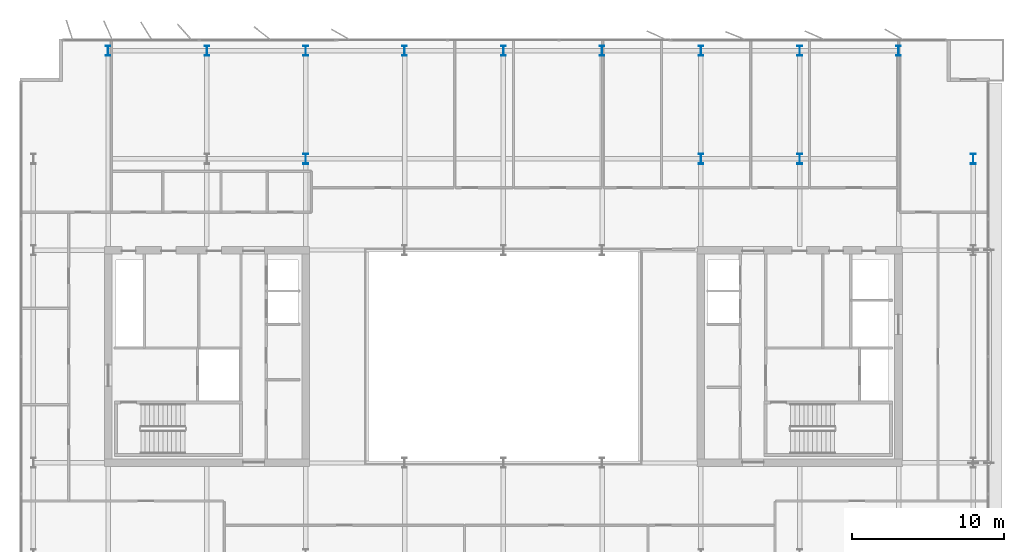
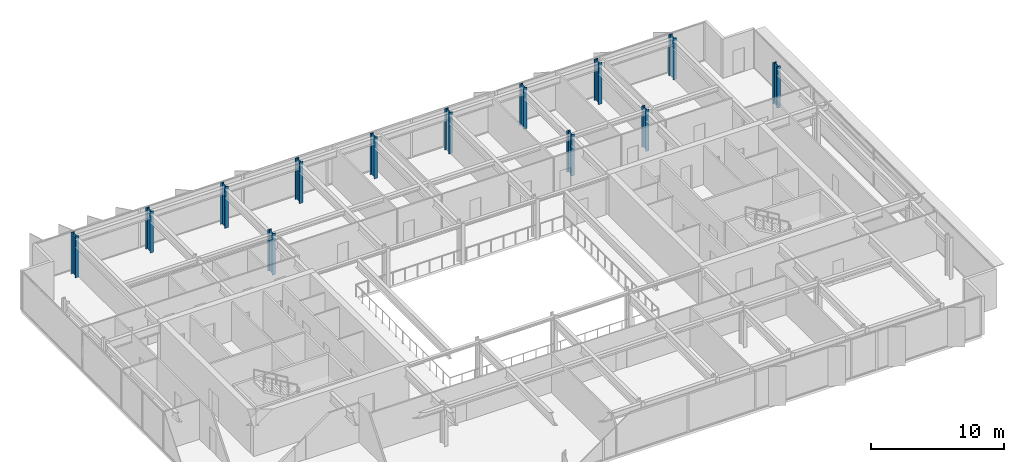
# One storey, part 3 of 19: 13 columns.
"""IFC4 building model written with IfcOpenShell, lengths in metres."""

from ifc_helpers import new_model, si_unit, direction, frame, origin, origin_2d, place, context, subcontext, project, spatial, i_section, extrude, material, material_profile, profile_set, type_object, element, save


model = new_model("IFC4")

# Units and contexts
model_context = context("Model", 3, precision=1e-05, world=origin(), true_north=direction((0.0, 1.0)))
body_context = subcontext(model_context, "Body", "Model", "MODEL_VIEW")
ifc_project = project(units=[si_unit("LENGTHUNIT", "METRE"), si_unit("AREAUNIT", "SQUARE_METRE"), si_unit("VOLUMEUNIT", "CUBIC_METRE"), si_unit("PLANEANGLEUNIT", "RADIAN"), si_unit("MASSUNIT", "GRAM", prefix="KILO")], contexts=[model_context])

# Site, building, storey
site_placement = place(None, origin())
site = spatial("IfcSite", under=ifc_project, at=site_placement, CompositionType="ELEMENT")
building_placement = place(site_placement, origin())
building = spatial("IfcBuilding", under=site, at=building_placement, Name="Putna Gate Headquarters", CompositionType="ELEMENT")
storey_placement = place(building_placement, frame((0.0, 0.0, 263.199951171875)))
storey = spatial("IfcBuildingStorey", under=building, at=storey_placement, Name="L66", CompositionType="ELEMENT", Elevation=263.199951171875)

# Columns
ifc_material = material(Name="Steel S460M", Category="steel")
ifc_material_profile_1 = material_profile(ifc_material, i_section(OverallWidth=0.304931640625, OverallDepth=0.66796875, WebThickness=0.02099609375, FlangeThickness=0.0400390625, at=origin_2d()), Name="Steel S460M")
ifc_profile_set_1 = profile_set([ifc_material_profile_1], Name="Steel S460M")
column_type_1 = type_object("IfcColumnType", Name="COL-STL-HEM650-EXT", PredefinedType="COLUMN", material=ifc_profile_set_1)
for number, where, z_axis, x_axis, name in (
    (1, (13.0, 46.1201171875, 0.0), (0.0, 0.0, 1.0), (1.0, 0.0, 0.0), "L66 Column CP-N13"),
    (2, (19.5, 46.1201171875, 0.0), (0.0, 0.0, 1.0), (1.0, 0.0, 0.0), "L66 Column CP-N19"),
    (3, (26.0, 46.1201171875, 0.0), (0.0, 0.0, 1.0), (1.0, 0.0, 0.0), "L66 Column CP-N26"),
    (4, (32.5, 46.1201171875, 0.0), (0.0, 0.0, 1.0), (1.0, 0.0, 0.0), "L66 Column CP-N32"),
    (5, (39.0, 46.1201171875, 0.0), (0.0, 0.0, 1.0), (1.0, 0.0, 0.0), "L66 Column CP-N39"),
    (6, (45.5, 46.1201171875, 0.0), (0.0, 0.0, 1.0), (1.0, 0.0, 0.0), "L66 Column CP-N45"),
    (7, (52.0, 46.1201171875, 0.0), (0.0, 0.0, 1.0), (1.0, 0.0, 0.0), "L66 Column CP-N52"),
    (8, (58.5, 46.1201171875, 0.0), (0.0, 0.0, 1.0), (1.0, 0.0, 0.0), "L66 Column CP-N58"),
    (9, (65.0, 46.1201171875, 0.0), (0.0, 0.0, 1.0), (1.0, 0.0, 0.0), "L66 Column CP-N65"),
    (10, (69.919921875, 39.0, 0.0), (0.0, 0.0, 1.0), (1.0, 0.0, 0.0), "L66 Column CP-E39"),
):
    element("IfcColumn", number, at=place(storey_placement, frame(where, z_axis=z_axis, x_axis=x_axis)), inside=storey, type_object=column_type_1, Name=name, PredefinedType="COLUMN", context=body_context, shape_type="SweptSolid", body=[
        extrude(i_section(OverallWidth=0.304931640625, OverallDepth=0.66796875, WebThickness=0.02099609375, FlangeThickness=0.0400390625, at=origin_2d()), origin(), (0.0, 0.0, 1.0), 3.800048828125),
    ])
ifc_material_profile_2 = material_profile(ifc_material, i_section(OverallWidth=0.304931640625, OverallDepth=0.66796875, WebThickness=0.02099609375, FlangeThickness=0.0400390625, at=origin_2d()), Name="Steel S460M")
ifc_profile_set_2 = profile_set([ifc_material_profile_2], Name="Steel S460M")
column_type_2 = type_object("IfcColumnType", Name="COL-STL-HEM650-INT", PredefinedType="COLUMN", material=ifc_profile_set_2)
for number, where, z_axis, x_axis, name in (
    (11, (58.5, 39.0, 0.0), (0.0, 0.0, 1.0), (1.0, 0.0, 0.0), "L66 Column CSI-EN"),
    (12, (26.0, 39.0, 0.0), (0.0, 0.0, 1.0), (1.0, 0.0, 0.0), "L66 Column CAP-WN"),
    (13, (52.0, 39.0, 0.0), (0.0, 0.0, 1.0), (1.0, 0.0, 0.0), "L66 Column CAP-EN"),
):
    element("IfcColumn", number, at=place(storey_placement, frame(where, z_axis=z_axis, x_axis=x_axis)), inside=storey, type_object=column_type_2, Name=name, PredefinedType="COLUMN", context=body_context, shape_type="SweptSolid", body=[
        extrude(i_section(OverallWidth=0.304931640625, OverallDepth=0.66796875, WebThickness=0.02099609375, FlangeThickness=0.0400390625, at=origin_2d()), origin(), (0.0, 0.0, 1.0), 3.800048828125),
    ])

save(model, "model.ifc")
